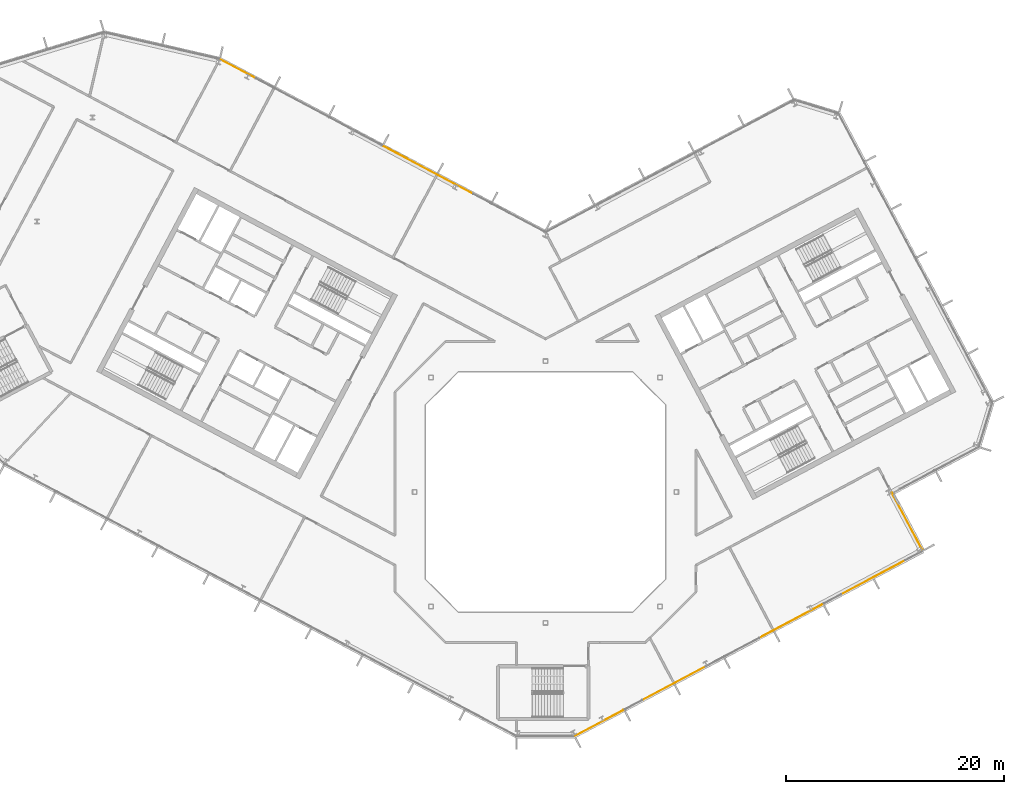
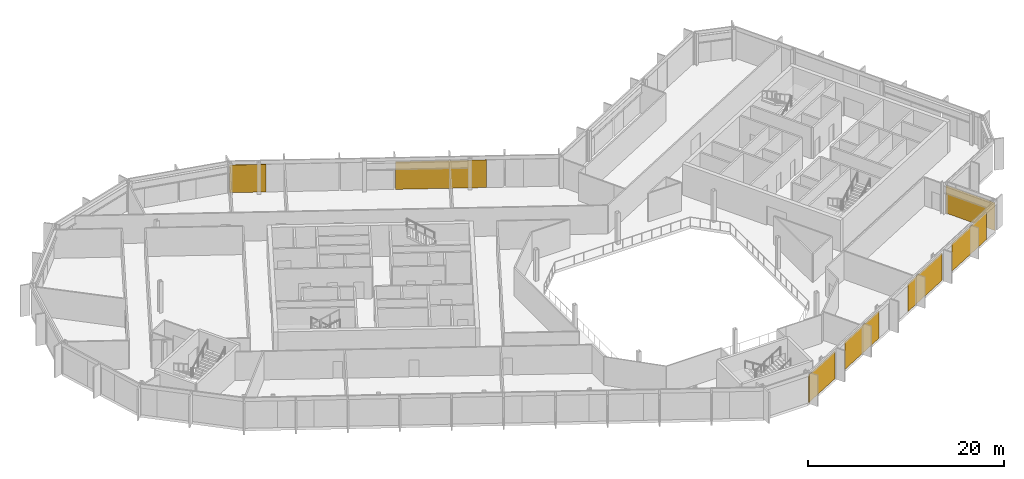
# One storey, part 24 of 26: 7 coverings, 3 elements without a shape of their own.
"""IFC4 building model written with IfcOpenShell, lengths in metres."""

import ifcopenshell
import ifcopenshell.guid

model = None  # the IFC model being written
_history = None  # IfcOwnerHistory: only IFC2X3 demands one
_inside = {}  # id of a spatial element -> (the spatial element, [elements in it])
_under = {}  # id of a project, library or spatial element -> (it, [spatial elements below it])
_declared = {}  # id of a project -> (the project, [libraries it declares])
_typed = {}  # id of a type object -> (the type object, [elements of that type])
_made_of = {}  # id of a material, layer set ... -> (it, [elements and type objects made of it])


def new_model(schema):
    """Start an empty IFC model of exactly this schema.

    Asked for "IFC4X3", IfcOpenShell would pick the latest addendum, in which some entities
    have other attributes; the version numbers below select the first issue.
    IFC2X3 requires an IfcOwnerHistory on every rooted entity: one is made here for all.
    """
    global model, _history
    if schema == "IFC4X3":
        model = ifcopenshell.file(schema_version=(4, 3, 0, 0))
    else:
        model = ifcopenshell.file(schema=schema)
    _inside.clear()
    _under.clear()
    _declared.clear()
    _typed.clear()
    _made_of.clear()
    _history = None
    if model.schema == "IFC2X3":
        org = make("IfcOrganization", Name="unknown")
        user = make(
            "IfcPersonAndOrganization",
            ThePerson=make("IfcPerson", FamilyName="unknown"),
            TheOrganization=org,
        )
        app = make(
            "IfcApplication",
            ApplicationDeveloper=org,
            Version="unknown",
            ApplicationFullName="unknown",
            ApplicationIdentifier="unknown",
        )
        _history = make(
            "IfcOwnerHistory",
            OwningUser=user,
            OwningApplication=app,
            ChangeAction="ADDED",
            CreationDate=0,
        )
    return model


def make(cls, **values):
    """One entity of the class cls with the attributes given. An attribute that is None is left unset."""
    return model.create_entity(
        cls, **{name: value for name, value in values.items() if value is not None}
    )


def rooted(cls, **values):
    """An entity with a GlobalId (a new one), such as an element, a storey or a relation."""
    return make(cls, GlobalId=ifcopenshell.guid.new(), OwnerHistory=_history, **values)


def si_unit(unit_type, name, prefix=None):
    """IfcSIUnit, for example si_unit("LENGTHUNIT", "METRE", prefix="MILLI")."""
    return make("IfcSIUnit", UnitType=unit_type, Prefix=prefix, Name=name)


def assignment(units):
    """IfcUnitAssignment: the units of a project."""
    return None if units is None else make("IfcUnitAssignment", Units=units)


def point(xyz):
    """IfcCartesianPoint."""
    return None if xyz is None else make("IfcCartesianPoint", Coordinates=xyz)


def direction(xyz):
    """IfcDirection."""
    return None if xyz is None else make("IfcDirection", DirectionRatios=xyz)


def frame(location, z_axis=None, x_axis=None):
    """IfcAxis2Placement3D, a coordinate frame: its origin and axes. An axis left out is left unset."""
    return make(
        "IfcAxis2Placement3D",
        Location=point(location),
        Axis=direction(z_axis),
        RefDirection=direction(x_axis),
    )


def frame_2d(location, x_axis=None):
    """IfcAxis2Placement2D, a coordinate frame in the plane: its origin and x axis."""
    return make(
        "IfcAxis2Placement2D", Location=point(location), RefDirection=direction(x_axis)
    )


def origin():
    """The frame at (0, 0, 0) with its axes left unset."""
    return frame((0.0, 0.0, 0.0))


def origin_2d():
    """The frame at (0, 0) in the plane with its x axis left unset."""
    return frame_2d((0.0, 0.0))


def place(relative_to, where):
    """IfcLocalPlacement: puts the frame where relative to a parent placement (None: the world)."""
    return make(
        "IfcLocalPlacement", PlacementRelTo=relative_to, RelativePlacement=where
    )


def context(
    kind, dimensions, precision=None, world=None, true_north=None, identifier=None
):
    """IfcGeometricRepresentationContext, for example the 3D "Model" context."""
    return make(
        "IfcGeometricRepresentationContext",
        ContextIdentifier=identifier,
        ContextType=kind,
        CoordinateSpaceDimension=dimensions,
        Precision=precision,
        WorldCoordinateSystem=world,
        TrueNorth=true_north,
    )


def subcontext(parent, identifier, kind, view, scale=None):
    """IfcGeometricRepresentationSubContext, for example "Body" below "Model"."""
    return make(
        "IfcGeometricRepresentationSubContext",
        ContextIdentifier=identifier,
        ContextType=kind,
        ParentContext=parent,
        TargetScale=scale,
        TargetView=view,
    )


def project(units=None, contexts=None):
    """IfcProject with its units and contexts."""
    return rooted(
        "IfcProject",
        Name="project",
        RepresentationContexts=contexts,
        UnitsInContext=assignment(units),
    )


def spatial(cls, under=None, at=None, **own):
    """A site, building, storey or space (cls), placed at a placement, below another one or the project."""
    s = rooted(cls, ObjectPlacement=at, **own)
    if under is not None:
        _under.setdefault(under.id(), (under, []))[1].append(s)
    return s


def profile(cls, at=None, kind="AREA", **sizes):
    """A parametric profile (cls). Its sizes go by their IFC names, for example OverallWidth=200.0."""
    return make(cls, ProfileType=kind, Position=at, **sizes)


def rectangle(**sizes):
    """IfcRectangleProfileDef."""
    return profile("IfcRectangleProfileDef", **sizes)


def extrude(swept, where, along, depth):
    """IfcExtrudedAreaSolid: the profile swept, set in the frame where, extruded along a direction by depth."""
    return make(
        "IfcExtrudedAreaSolid",
        SweptArea=swept,
        Position=where,
        ExtrudedDirection=direction(along),
        Depth=depth,
    )


def shape(context_of_items, identifier, shape_type, items):
    """IfcShapeRepresentation: the items that make up one representation, for example the "Body"."""
    return make(
        "IfcShapeRepresentation",
        ContextOfItems=context_of_items,
        RepresentationIdentifier=identifier,
        RepresentationType=shape_type,
        Items=items,
    )


def material(Name=None, Category=None):
    """IfcMaterial."""
    return make("IfcMaterial", Name=Name, Category=Category)


def layer(
    of_material, thickness, ventilated=None, Name=None, Category=None, Priority=None
):
    """IfcMaterialLayer: one layer of a wall or slab, of a material (None: an air gap)."""
    return make(
        "IfcMaterialLayer",
        Material=of_material,
        LayerThickness=thickness,
        IsVentilated=ventilated,
        Name=Name,
        Category=Category,
        Priority=Priority,
    )


def layer_set(layers, Name=None):
    """IfcMaterialLayerSet."""
    return make("IfcMaterialLayerSet", MaterialLayers=layers, LayerSetName=Name)


def made_of(thing, what):
    """Note that an element or type object is made of a material, layer set ...; save() writes the relation."""
    if what is not None:
        _made_of.setdefault(what.id(), (what, []))[1].append(thing)
    return thing


def type_object(cls, material=None, **own):
    """A type object (cls), such as IfcWallType, which elements share."""
    return made_of(rooted(cls, **own), material)


def element(
    cls,
    number,
    at=None,
    inside=None,
    cuts=None,
    type_object=None,
    material=None,
    context=None,
    identifier="Body",
    shape_type=None,
    held_by="IfcProductDefinitionShape",
    body=None,
    shapes=None,
    **own,
):
    """One element of the class cls, such as IfcWall. Its Tag is "e" and its number.

    at: its placement. inside: the storey or other place that contains it. cuts: it is an
    opening in that element (IfcRelVoidsElement). A single representation is given by context,
    identifier, shape_type and body (its items); several are given by shapes. held_by: the class
    of the entity that holds the representations. save() writes the other relations.
    """
    e = rooted(cls, Tag="e%d" % number, ObjectPlacement=at, **own)
    if body is not None:
        shapes = [shape(context, identifier, shape_type, body)]
    if shapes is not None:
        e.Representation = make(held_by, Representations=shapes)
    if inside is not None:
        _inside.setdefault(inside.id(), (inside, []))[1].append(e)
    if cuts is not None:
        rooted(
            "IfcRelVoidsElement", RelatingBuildingElement=cuts, RelatedOpeningElement=e
        )
    if type_object is not None:
        _typed.setdefault(type_object.id(), (type_object, []))[1].append(e)
    return made_of(e, material)


def aggregate(whole, parts):
    """IfcRelAggregates: a whole, such as a stair, and the parts it consists of."""
    return rooted("IfcRelAggregates", RelatingObject=whole, RelatedObjects=parts)


def save(model, path):
    """Write the relations noted so far, then the file.

    IfcRelAggregates (storeys below a building ...), IfcRelContainedInSpatialStructure (elements
    in a storey), IfcRelDefinesByType, IfcRelAssociatesMaterial and IfcRelDeclares: one each for
    every whole, place, type object, material and project.
    """
    for whole, parts in _under.values():
        aggregate(whole, parts)
    for where, things in _inside.values():
        rooted(
            "IfcRelContainedInSpatialStructure",
            RelatedElements=things,
            RelatingStructure=where,
        )
    for kind, things in _typed.values():
        rooted("IfcRelDefinesByType", RelatedObjects=things, RelatingType=kind)
    for what, things in _made_of.values():
        rooted("IfcRelAssociatesMaterial", RelatedObjects=things, RelatingMaterial=what)
    for by, libraries in _declared.values():
        rooted("IfcRelDeclares", RelatingContext=by, RelatedDefinitions=libraries)
    model.write(path)


model = new_model("IFC4")

# Units and contexts
model_context = context("Model", 3, precision=1e-05, world=origin(), true_north=direction((0.0, 1.0)))
body_context = subcontext(model_context, "Body", "Model", "MODEL_VIEW")
ifc_project = project(units=[si_unit("LENGTHUNIT", "METRE"), si_unit("AREAUNIT", "SQUARE_METRE"), si_unit("VOLUMEUNIT", "CUBIC_METRE"), si_unit("PLANEANGLEUNIT", "RADIAN"), si_unit("MASSUNIT", "GRAM", prefix="KILO")], contexts=[model_context])

# Site, building, storey
site_placement = place(None, origin())
site = spatial("IfcSite", under=ifc_project, at=site_placement, CompositionType="ELEMENT")
building_placement = place(site_placement, origin())
building = spatial("IfcBuilding", under=site, at=building_placement, Name="Cormorant Relay Tower", CompositionType="ELEMENT")
storey_placement = place(building_placement, frame((0.0, 0.0, 300.89990234375)))
storey = spatial("IfcBuildingStorey", under=building, at=storey_placement, Name="L68", CompositionType="ELEMENT", Elevation=300.89990234375)

# Curtain wall, coverings
ifc_material_1 = material(Name="Aluminium 6063-T6 anodised bronze", Category="aluminium")
ifc_layer_1 = layer(ifc_material_1, 0.199951171875)
ifc_layer_set_1 = layer_set([ifc_layer_1], Name="CW1 unitised bronze curtain wall with vertical fins")
curtain_wall_type = type_object("IfcCurtainWallType", Name="CW1 unitised bronze curtain wall with vertical fins", PredefinedType="NOTDEFINED", material=ifc_layer_set_1)
curtain_wall_1_placement = place(storey_placement, origin())
curtain_wall_1 = element("IfcCurtainWall", 1, at=curtain_wall_1_placement, inside=storey, type_object=curtain_wall_type, Name="CW1 curtain wall 2", PredefinedType="NOTDEFINED")
ifc_material_2 = material(Name="Pale bronze anodised aluminium insulated panel", Category="aluminium")
ifc_layer_2 = layer(ifc_material_2, 0.0400390625)
ifc_layer_set_2 = layer_set([ifc_layer_2], Name="CW1 pale bronze insulated panel 40")
covering_type = type_object("IfcCoveringType", Name="CW1 pale bronze insulated panel 40", PredefinedType="CLADDING", material=ifc_layer_set_2)
covering_1_placement = place(storey_placement, frame((4.939208984375, -21.180419921875, 0.0), z_axis=(0.0, 0.0, 1.0), x_axis=(0.882947592859, 0.469471562786, 0.0)))
covering_1 = element("IfcCovering", 2, at=covering_1_placement, type_object=covering_type, Name="CW1 panel S00", PredefinedType="CLADDING", context=body_context, shape_type="SweptSolid", body=[
    extrude(rectangle(XDim=5.0166015625, YDim=0.0400390625, at=origin_2d()), origin(), (0.0, 0.0, 1.0), 3.449951171875),
])
covering_2_placement = place(storey_placement, frame((11.78173828125, -17.5419921875, 0.0), z_axis=(0.0, 0.0, 1.0), x_axis=(0.882947592859, 0.469471562786, 0.0)))
covering_2 = element("IfcCovering", 3, at=covering_2_placement, type_object=covering_type, Name="CW1 panel S02", PredefinedType="CLADDING", context=body_context, shape_type="SweptSolid", body=[
    extrude(rectangle(XDim=6.5830078125, YDim=0.0400390625, at=origin_2d()), origin(), (0.0, 0.0, 1.0), 3.449951171875),
])
covering_3_placement = place(storey_placement, frame((22.49462890625, -11.845947265625, 0.0), z_axis=(0.0, 0.0, 1.0), x_axis=(0.882947592859, 0.469471562786, 0.0)))
covering_3 = element("IfcCovering", 4, at=covering_3_placement, type_object=covering_type, Name="CW1 panel S05", PredefinedType="CLADDING", context=body_context, shape_type="SweptSolid", body=[
    extrude(rectangle(XDim=6.5830078125, YDim=0.0400390625, at=origin_2d()), origin(), (0.0, 0.0, 1.0), 3.449951171875),
])
covering_4_placement = place(storey_placement, frame((30.06201171875, -7.822265625, 0.0), z_axis=(0.0, 0.0, 1.0), x_axis=(0.882947592859, 0.469471562786, 0.0)))
covering_4 = element("IfcCovering", 5, at=covering_4_placement, type_object=covering_type, Name="CW1 panel S07", PredefinedType="CLADDING", context=body_context, shape_type="SweptSolid", body=[
    extrude(rectangle(XDim=6.658203125, YDim=0.0400390625, at=origin_2d()), origin(), (0.0, 0.0, 1.0), 3.449951171875),
])
aggregate(curtain_wall_1, [covering_1, covering_2, covering_3, covering_4])

# Curtain wall, covering
curtain_wall_2_placement = place(storey_placement, origin())
curtain_wall_2 = element("IfcCurtainWall", 6, at=curtain_wall_2_placement, inside=storey, type_object=curtain_wall_type, Name="CW1 curtain wall 3", PredefinedType="NOTDEFINED")
covering_5_placement = place(storey_placement, frame((33.173095703125, -2.705322265625, 0.0), z_axis=(0.0, 0.0, 1.0), x_axis=(-0.469471562786, 0.882947592859, 0.0)))
covering_5 = element("IfcCovering", 7, at=covering_5_placement, type_object=covering_type, Name="CW1 panel S00", PredefinedType="CLADDING", context=body_context, shape_type="SweptSolid", body=[
    extrude(rectangle(XDim=5.925048828125, YDim=0.0400390625, at=origin_2d()), origin(), (0.0, 0.0, 1.0), 3.449951171875),
])
aggregate(curtain_wall_2, [covering_5])

# Curtain wall, coverings
curtain_wall_3_placement = place(storey_placement, origin())
curtain_wall_3 = element("IfcCurtainWall", 8, at=curtain_wall_3_placement, inside=storey, type_object=curtain_wall_type, Name="CW1 curtain wall 9", PredefinedType="NOTDEFINED")
covering_6_placement = place(storey_placement, frame((-10.7431640625, 29.518798828125, 0.0), z_axis=(0.0, 0.0, 1.0), x_axis=(-0.882947592859, 0.469471562786, 0.0)))
covering_6 = element("IfcCovering", 9, at=covering_6_placement, type_object=covering_type, Name="CW1 panel S03", PredefinedType="CLADDING", context=body_context, shape_type="SweptSolid", body=[
    extrude(rectangle(XDim=9.327880859375, YDim=0.0400390625, at=origin_2d()), origin(), (0.0, 0.0, 1.0), 3.449951171875),
])
covering_7_placement = place(storey_placement, frame((-28.20263671875, 38.80224609375, 0.0), z_axis=(0.0, 0.0, 1.0), x_axis=(-0.882947592859, 0.469471562786, 0.0)))
covering_7 = element("IfcCovering", 10, at=covering_7_placement, type_object=covering_type, Name="CW1 panel S07", PredefinedType="CLADDING", context=body_context, shape_type="SweptSolid", body=[
    extrude(rectangle(XDim=3.763916015625, YDim=0.0400390625, at=origin_2d()), origin(), (0.0, 0.0, 1.0), 3.449951171875),
])
aggregate(curtain_wall_3, [covering_6, covering_7])

save(model, "model.ifc")
